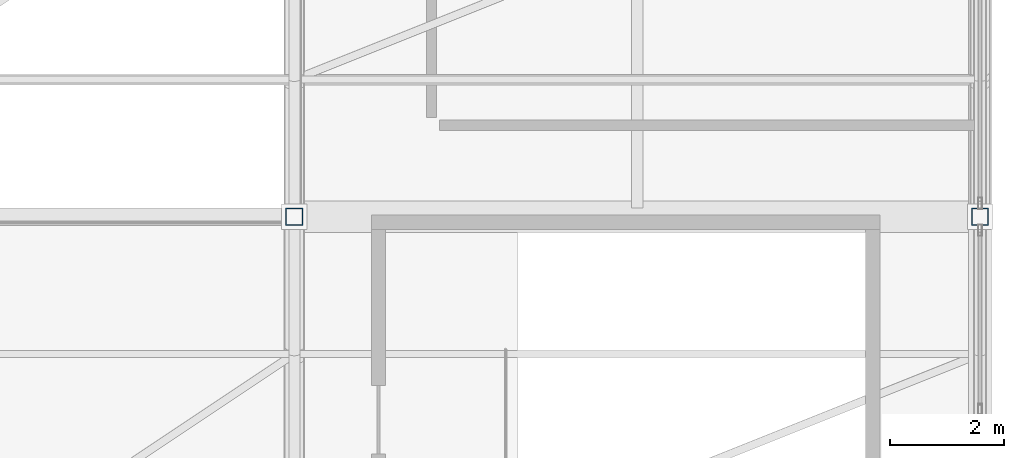
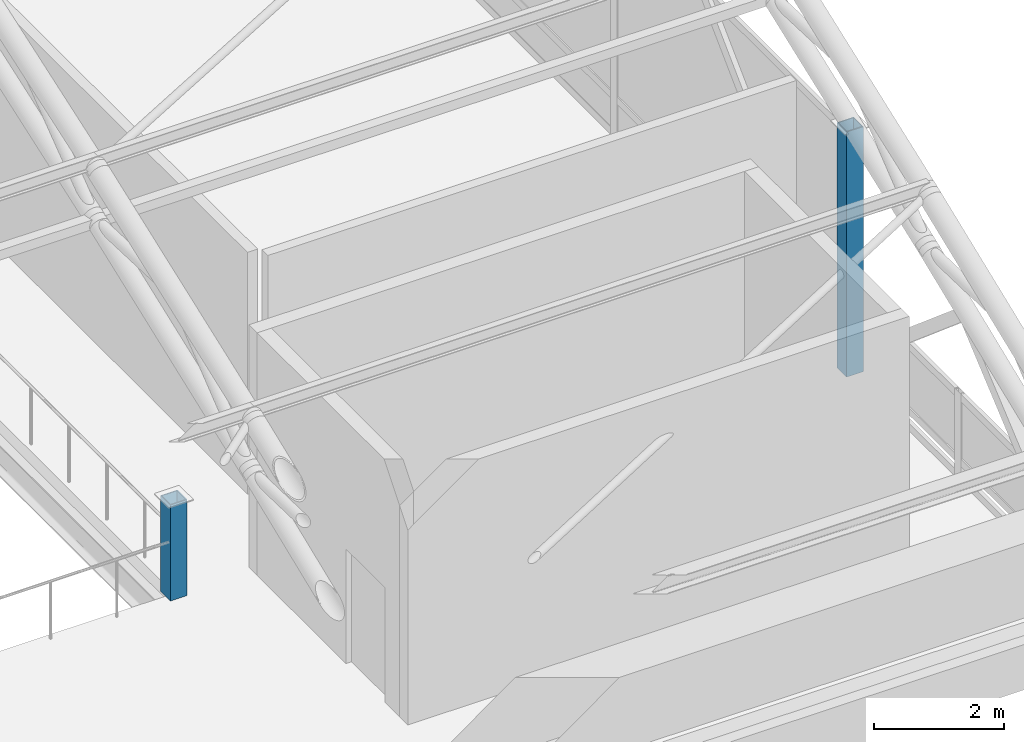
# One storey, part 6 of 116: 2 columns.
"""IFC4 building model written with IfcOpenShell, lengths in metres."""

from ifc_helpers import new_model, si_unit, direction, frame, origin, origin_2d, place, context, subcontext, project, spatial, hollow_rectangle, extrude, material, material_profile, profile_set, type_object, element, save


model = new_model("IFC4")

# Units and contexts
model_context = context("Model", 3, precision=1e-05, world=origin(), true_north=direction((0.0, 1.0)))
body_context = subcontext(model_context, "Body", "Model", "MODEL_VIEW")
ifc_project = project(units=[si_unit("LENGTHUNIT", "METRE"), si_unit("AREAUNIT", "SQUARE_METRE"), si_unit("VOLUMEUNIT", "CUBIC_METRE"), si_unit("PLANEANGLEUNIT", "RADIAN"), si_unit("MASSUNIT", "GRAM", prefix="KILO")], contexts=[model_context])

# Site, building, storey
site_placement = place(None, origin())
site = spatial("IfcSite", under=ifc_project, at=site_placement, CompositionType="ELEMENT")
building_placement = place(site_placement, origin())
building = spatial("IfcBuilding", under=site, at=building_placement, Name="Cendralis Lancet Convention Centre", CompositionType="ELEMENT")
storey_placement = place(building_placement, frame((0.0, 0.0, 15.0)))
storey = spatial("IfcBuildingStorey", under=building, at=storey_placement, Name="L03", CompositionType="ELEMENT", Elevation=15.0)

# Columns
ifc_material = material(Name="Steel S355", Category="steel")
ifc_material_profile_1 = material_profile(ifc_material, hollow_rectangle(XDim=0.300048828125, YDim=0.300048828125, WallThickness=0.01611328125, at=origin_2d()), Name="SHS 300x300x16.0")
ifc_profile_set_1 = profile_set([ifc_material_profile_1], Name="Steel S355")
column_type_1 = type_object("IfcColumnType", Name="STR-COL-C30", PredefinedType="COLUMN", material=ifc_profile_set_1)
column_1_placement = place(storey_placement, frame((208.800048828125, 50.39990234375, 0.0), z_axis=(0.0, 0.0, 1.0), x_axis=(1.0, 0.0, 0.0)))
element("IfcColumn", 1, at=column_1_placement, inside=storey, type_object=column_type_1, Name="L03 Column C30 at 208.8,50.4", PredefinedType="COLUMN", context=body_context, shape_type="SweptSolid", body=[
    extrude(hollow_rectangle(XDim=0.300048828125, YDim=0.300048828125, WallThickness=0.01611328125, at=origin_2d()), origin(), (0.0, 0.0, 1.0), 4.596923828125),
])
ifc_material_profile_2 = material_profile(ifc_material, hollow_rectangle(XDim=0.300048828125, YDim=0.300048828125, WallThickness=0.01611328125, at=origin_2d()), Name="SHS 300x300x16.0")
ifc_profile_set_2 = profile_set([ifc_material_profile_2], Name="Steel S355")
column_type_2 = type_object("IfcColumnType", Name="STR-COL-C30-INT", PredefinedType="COLUMN", material=ifc_profile_set_2)
column_2_placement = place(storey_placement, frame((196.800048828125, 50.39990234375, 0.0), z_axis=(0.0, 0.0, 1.0), x_axis=(1.0, 0.0, 0.0)))
element("IfcColumn", 2, at=column_2_placement, inside=storey, type_object=column_type_2, Name="L03 Column C30 at 196.8,50.4", PredefinedType="COLUMN", context=body_context, shape_type="SweptSolid", body=[
    extrude(hollow_rectangle(XDim=0.300048828125, YDim=0.300048828125, WallThickness=0.01611328125, at=origin_2d()), origin(), (0.0, 0.0, 1.0), 1.800048828125),
])

save(model, "model.ifc")
